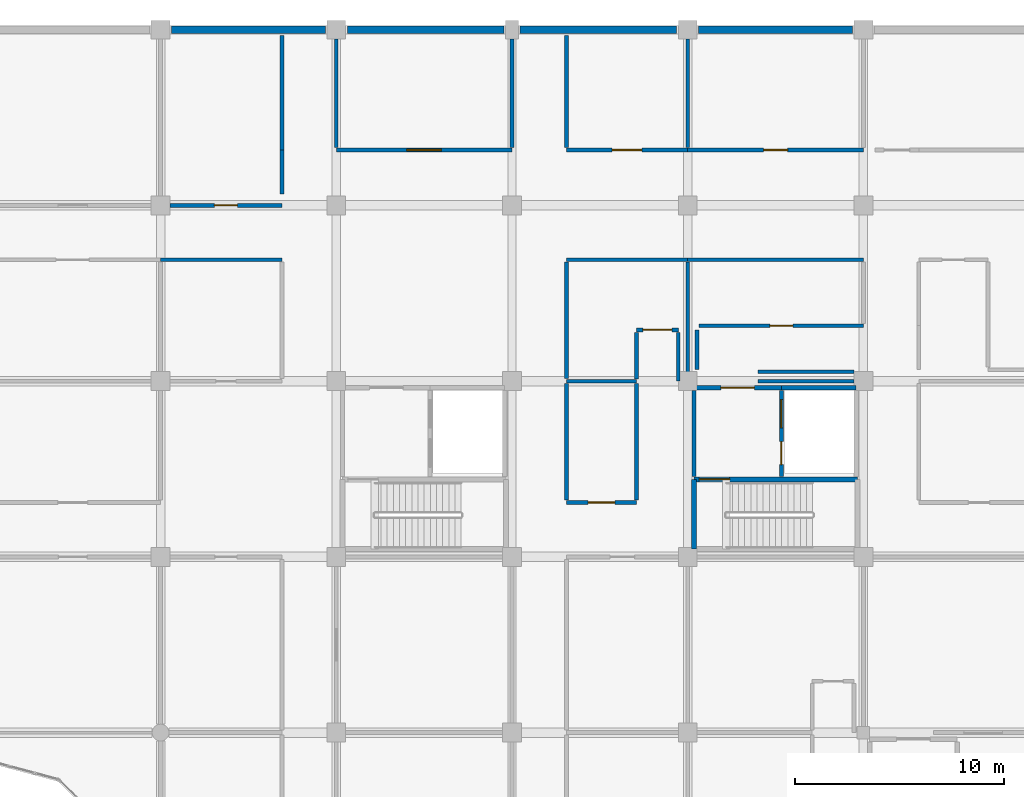
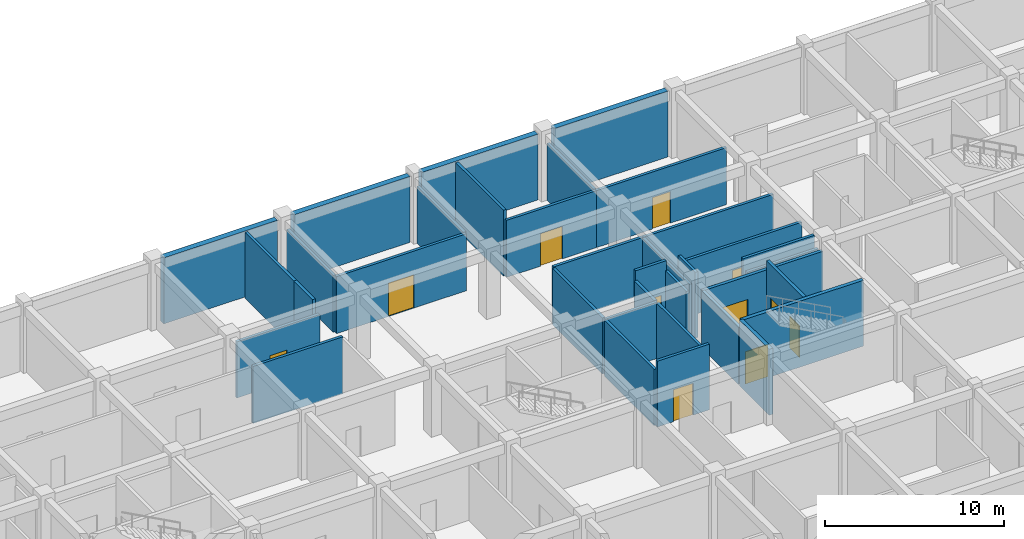
# One storey, part 106 of 138: 36 walls, 11 doors, 11 openings.
"""IFC4 building model written with IfcOpenShell, lengths in metres."""

from ifc_helpers import new_model, si_unit, direction, frame, frame_2d, origin, place, context, subcontext, project, spatial, rectangle, extrude, material, layer, layer_set, type_object, element, fill, save


model = new_model("IFC4")

# Units and contexts
model_context = context("Model", 3, precision=1e-05, world=origin(), true_north=direction((0.0, 1.0)))
body_context = subcontext(model_context, "Body", "Model", "MODEL_VIEW")
ifc_project = project(units=[si_unit("LENGTHUNIT", "METRE"), si_unit("AREAUNIT", "SQUARE_METRE"), si_unit("VOLUMEUNIT", "CUBIC_METRE"), si_unit("PLANEANGLEUNIT", "RADIAN"), si_unit("MASSUNIT", "GRAM", prefix="KILO")], contexts=[model_context])

# Site, building, storey
site_placement = place(None, origin())
site = spatial("IfcSite", under=ifc_project, at=site_placement, CompositionType="ELEMENT")
building_placement = place(site_placement, origin())
building = spatial("IfcBuilding", under=site, at=building_placement, Name="Bramfleet General Hospital", CompositionType="ELEMENT")
storey_placement = place(building_placement, origin())
storey = spatial("IfcBuildingStorey", under=building, at=storey_placement, Name="L00", CompositionType="ELEMENT", Elevation=0.0)

# Walls
ifc_material_1 = material(Name="Concrete C35/45", Category="concrete")
ifc_layer_1 = layer(ifc_material_1, 0.360107421875, Name="WT-EW-02")
ifc_layer_set_1 = layer_set([ifc_layer_1], Name="Concrete C35/45")
wall_type_1 = type_object("IfcWallType", Name="WT-EW-02", PredefinedType="SOLIDWALL", material=ifc_layer_set_1)
wall_1_placement = place(storey_placement, frame((92.925048828125, 117.60009765625, 0.0), z_axis=(0.0, 0.0, 1.0), x_axis=(1.0, 0.0, 0.0)))
element("IfcWall", 1, at=wall_1_placement, inside=storey, type_object=wall_type_1, Name="L00 North REI 90-M Party Wall 116", PredefinedType="SOLIDWALL", context=body_context, shape_type="SweptSolid", body=[
    extrude(rectangle(XDim=7.349853515625, YDim=0.360107421875, at=frame_2d((3.6748046875, 0.0))), origin(), (0.0, 0.0, 1.0), 4.5),
])
for number, where, z_axis, x_axis, name in (
    (2, (101.324951171875, 117.60009765625, 0.0), (0.0, 0.0, 1.0), (1.0, 0.0, 0.0), "L00 North REI 90-M Party Wall 117"),
    (3, (109.574951171875, 117.60009765625, 0.0), (0.0, 0.0, 1.0), (1.0, 0.0, 0.0), "L00 North REI 90-M Party Wall 118"),
):
    element("IfcWall", number, at=place(storey_placement, frame(where, z_axis=z_axis, x_axis=x_axis)), inside=storey, type_object=wall_type_1, Name=name, PredefinedType="SOLIDWALL", context=body_context, shape_type="SweptSolid", body=[
        extrude(rectangle(XDim=7.5, YDim=0.360107421875, at=frame_2d((3.75, 0.0))), origin(), (0.0, 0.0, 1.0), 4.5),
    ])
wall_2_placement = place(storey_placement, frame((118.125, 117.60009765625, 0.0), z_axis=(0.0, 0.0, 1.0), x_axis=(1.0, 0.0, 0.0)))
element("IfcWall", 4, at=wall_2_placement, inside=storey, type_object=wall_type_1, Name="L00 North REI 90-M Party Wall 119", PredefinedType="SOLIDWALL", context=body_context, shape_type="SweptSolid", body=[
    extrude(rectangle(XDim=7.35009765625, YDim=0.360107421875, at=frame_2d((3.675048828125, 0.0))), origin(), (0.0, 0.0, 1.0), 4.5),
])

# Wall, openings, doors
ifc_layer_2 = layer(ifc_material_1, 0.205078125, Name="WT-IW-02")
ifc_layer_set_2 = layer_set([ifc_layer_2], Name="Concrete C35/45")
wall_type_2 = type_object("IfcWallType", Name="WT-IW-02", PredefinedType="PARTITIONING", material=ifc_layer_set_2)
wall_3_placement = place(storey_placement, frame((122.080078125, 96.239990234375, 0.0), z_axis=(0.0, 0.0, 1.0), x_axis=(0.0, 1.0, 0.0)))
wall_3 = element("IfcWall", 5, at=wall_3_placement, inside=storey, type_object=wall_type_2, Name="L00 C6 Lobby East Shaft Wall", PredefinedType="PARTITIONING", context=body_context, shape_type="SweptSolid", body=[
    extrude(rectangle(XDim=4.1201171875, YDim=0.205078125, at=frame_2d((2.06005859375, 0.0))), origin(), (0.0, 0.0, 1.0), 4.489990234375),
])
opening_1_placement = place(wall_3_placement, frame((0.570068359375, 0.0, 0.0)))
opening_1 = element("IfcOpeningElement", 6, at=opening_1_placement, cuts=wall_3, Name="Opening LD-PL-04-L00", PredefinedType="OPENING", context=body_context, shape_type="SweptSolid", body=[
    extrude(rectangle(XDim=1.10009765625, YDim=2.14990234375, at=frame_2d((0.550048828125, 1.074951171875))), frame((0.0, 0.112548828125, 0.0), z_axis=(0.0, -1.0, 0.0), x_axis=(1.0, 0.0, 0.0)), (0.0, 0.0, 1.0), 0.22509765625),
])
opening_2_placement = place(wall_3_placement, frame((2.324951171875, 0.0, 0.0)))
opening_2 = element("IfcOpeningElement", 7, at=opening_2_placement, cuts=wall_3, Name="Opening LD-GL-02-L00", PredefinedType="OPENING", context=body_context, shape_type="SweptSolid", body=[
    extrude(rectangle(XDim=1.35009765625, YDim=2.199951171875, at=frame_2d((0.675048828125, 1.10009765625))), frame((0.0, 0.112548828125, 0.0), z_axis=(0.0, -1.0, 0.0), x_axis=(1.0, 0.0, 0.0)), (0.0, 0.0, 1.0), 0.22509765625),
])
ifc_material_2 = material(Name="Brushed stainless steel 1.4301", Category="steel")
door_type_1 = type_object("IfcDoorType", Name="DR-LD-01", OperationType="NOTDEFINED", PredefinedType="DOOR", material=ifc_material_2)
door_1_placement = place(opening_2_placement, origin())
door_1 = element("IfcDoor", 8, at=door_1_placement, inside=storey, type_object=door_type_1, Name="L00 Lift GL-02 Sliding Landing Door", OperationType="SLIDING_TO_LEFT", OverallHeight=2.199951171875, OverallWidth=1.35009765625, PredefinedType="DOOR", context=body_context, shape_type="SweptSolid", body=[
    extrude(rectangle(XDim=1.35009765625, YDim=2.199951171875, at=frame_2d((0.675048828125, 1.10009765625))), frame((0.0, 0.02490234375, 0.0), z_axis=(0.0, -1.0, 0.0), x_axis=(1.0, 0.0, 0.0)), (0.0, 0.0, 1.0), 0.050048828125),
])
fill(opening_2, door_1)
door_type_2 = type_object("IfcDoorType", Name="DR-LD-02", OperationType="NOTDEFINED", PredefinedType="DOOR", material=ifc_material_2)
door_2_placement = place(opening_1_placement, origin())
door_2 = element("IfcDoor", 9, at=door_2_placement, inside=storey, type_object=door_type_2, Name="L00 Lift PL-04 Sliding Landing Door", OperationType="SLIDING_TO_LEFT", OverallHeight=2.14990234375, OverallWidth=1.10009765625, PredefinedType="DOOR", context=body_context, shape_type="SweptSolid", body=[
    extrude(rectangle(XDim=1.10009765625, YDim=2.14990234375, at=frame_2d((0.550048828125, 1.074951171875))), frame((0.0, 0.02490234375, 0.0), z_axis=(0.0, -1.0, 0.0), x_axis=(1.0, 0.0, 0.0)), (0.0, 0.0, 1.0), 0.050048828125),
])
fill(opening_1, door_2)

# Walls
wall_4_placement = place(storey_placement, frame((122.080078125, 100.47998046875, 0.0), z_axis=(0.0, 0.0, 1.0), x_axis=(1.0, 0.0, 0.0)))
element("IfcWall", 10, at=wall_4_placement, inside=storey, type_object=wall_type_2, Name="L00 C6 Lift Shaft North Wall", PredefinedType="PARTITIONING", context=body_context, shape_type="SweptSolid", body=[
    extrude(rectangle(XDim=3.56982421875, YDim=0.205078125, at=frame_2d((1.784912109375, 0.0))), origin(), (0.0, 0.0, 1.0), 3.840087890625),
])
wall_5_placement = place(storey_placement, frame((117.89990234375, 96.239990234375, 0.0), z_axis=(0.0, 0.0, 1.0), x_axis=(0.0, 1.0, 0.0)))
element("IfcWall", 11, at=wall_5_placement, inside=storey, type_object=wall_type_2, Name="L00 C6 Lobby West Compartment Wall", PredefinedType="PARTITIONING", context=body_context, shape_type="SweptSolid", body=[
    extrude(rectangle(XDim=4.1201171875, YDim=0.205078125, at=frame_2d((2.06005859375, 0.0))), origin(), (0.0, 0.0, 1.0), 3.889892578125),
])

# Wall, opening, door
wall_6_placement = place(storey_placement, frame((117.89990234375, 100.47998046875, 0.0), z_axis=(0.0, 0.0, 1.0), x_axis=(1.0, 0.0, 0.0)))
wall_6 = element("IfcWall", 12, at=wall_6_placement, inside=storey, type_object=wall_type_2, Name="L00 C6 Lobby North Compartment Wall", PredefinedType="PARTITIONING", context=body_context, shape_type="SweptSolid", body=[
    extrude(rectangle(XDim=4.18017578125, YDim=0.205078125, at=frame_2d((2.090087890625, 0.0))), origin(), (0.0, 0.0, 1.0), 3.840087890625),
])
opening_3_placement = place(wall_6_placement, frame((1.2900390625, 0.0, 0.0)))
opening_3 = element("IfcOpeningElement", 13, at=opening_3_placement, cuts=wall_6, Name="Opening D0076", PredefinedType="OPENING", context=body_context, shape_type="SweptSolid", body=[
    extrude(rectangle(XDim=1.60009765625, YDim=2.25, at=frame_2d((0.800048828125, 1.125))), frame((0.0, 0.112548828125, 0.0), z_axis=(0.0, -1.0, 0.0), x_axis=(1.0, 0.0, 0.0)), (0.0, 0.0, 1.0), 0.22509765625),
])
ifc_material_3 = material(Name="Stainless steel and acoustic timber leaf", Category="steel")
door_type_3 = type_object("IfcDoorType", Name="DR-D-04", OperationType="NOTDEFINED", PredefinedType="DOOR", material=ifc_material_3)
door_3_placement = place(opening_3_placement, origin())
door_3 = element("IfcDoor", 14, at=door_3_placement, inside=storey, type_object=door_type_3, Name="L00 C6 Lobby Fire Door D0076", OperationType="DOUBLE_SWING_LEFT", OverallHeight=2.25, OverallWidth=1.60009765625, PredefinedType="DOOR", context=body_context, shape_type="SweptSolid", body=[
    extrude(rectangle(XDim=1.60009765625, YDim=2.25, at=frame_2d((0.800048828125, 1.125))), frame((0.0, 0.02490234375, 0.0), z_axis=(0.0, -1.0, 0.0), x_axis=(1.0, 0.0, 0.0)), (0.0, 0.0, 1.0), 0.050048828125),
])
fill(opening_3, door_3)

ifc_layer_3 = layer(ifc_material_1, 0.179931640625, Name="WT-IW-04")
ifc_layer_set_3 = layer_set([ifc_layer_3], Name="Concrete C35/45")
wall_type_3 = type_object("IfcWallType", Name="WT-IW-04", PredefinedType="PARTITIONING", material=ifc_layer_set_3)
wall_7_placement = place(storey_placement, frame((111.800048828125, 95.0, 0.0), z_axis=(0.0, 0.0, 1.0), x_axis=(1.0, 0.0, 0.0)))
wall_7 = element("IfcWall", 15, at=wall_7_placement, inside=storey, type_object=wall_type_3, Name="L00 Interior Partition IW-L00-0830", PredefinedType="PARTITIONING", context=body_context, shape_type="SweptSolid", body=[
    extrude(rectangle(XDim=3.349853515625, YDim=0.179931640625, at=frame_2d((1.6748046875, 0.0))), origin(), (0.0, 0.0, 1.0), 4.489990234375),
])
opening_4_placement = place(wall_7_placement, frame((1.034912109375, 0.0, 0.0)))
opening_4 = element("IfcOpeningElement", 16, at=opening_4_placement, cuts=wall_7, Name="Opening D0541", PredefinedType="OPENING", context=body_context, shape_type="SweptSolid", body=[
    extrude(rectangle(XDim=1.280029296875, YDim=2.179931640625, at=frame_2d((0.64013671875, 1.08984375))), frame((0.0, 0.099853515625, 0.0), z_axis=(0.0, -1.0, 0.0), x_axis=(1.0, 0.0, 0.0)), (0.0, 0.0, 1.0), 0.199951171875),
])
door_type_4 = type_object("IfcDoorType", Name="DR-D-29", OperationType="NOTDEFINED", PredefinedType="DOOR", material=ifc_material_3)
door_4_placement = place(opening_4_placement, origin())
door_4 = element("IfcDoor", 17, at=door_4_placement, inside=storey, type_object=door_type_4, Name="Diagnostic Ultrasound and Fluoroscopy 1311 Door D0541", OperationType="SINGLE_SWING_RIGHT", OverallHeight=2.179931640625, OverallWidth=1.280029296875, PredefinedType="DOOR", context=body_context, shape_type="SweptSolid", body=[
    extrude(rectangle(XDim=1.280029296875, YDim=2.179931640625, at=frame_2d((0.64013671875, 1.08984375))), frame((0.0, 0.02490234375, 0.0), z_axis=(0.0, -1.0, 0.0), x_axis=(1.0, 0.0, 0.0)), (0.0, 0.0, 1.0), 0.050048828125),
])
fill(opening_4, door_4)

# Walls
wall_8_placement = place(storey_placement, frame((111.800048828125, 100.800048828125, 0.0), z_axis=(0.0, 0.0, 1.0), x_axis=(1.0, 0.0, 0.0)))
element("IfcWall", 18, at=wall_8_placement, inside=storey, type_object=wall_type_3, Name="L00 Interior Partition IW-L00-0851", PredefinedType="PARTITIONING", context=body_context, shape_type="SweptSolid", body=[
    extrude(rectangle(XDim=3.349853515625, YDim=0.179931640625, at=frame_2d((1.6748046875, 0.0))), origin(), (0.0, 0.0, 1.0), 3.840087890625),
])
wall_9_placement = place(storey_placement, frame((120.949951171875, 100.800048828125, 0.0), z_axis=(0.0, 0.0, 1.0), x_axis=(1.0, 0.0, 0.0)))
element("IfcWall", 19, at=wall_9_placement, inside=storey, type_object=wall_type_3, Name="L00 Interior Partition IW-L00-0852", PredefinedType="PARTITIONING", context=body_context, shape_type="SweptSolid", body=[
    extrude(rectangle(XDim=4.60498046875, YDim=0.179931640625, at=frame_2d((2.302490234375, 0.0))), origin(), (0.0, 0.0, 1.0), 3.840087890625),
])
wall_10_placement = place(storey_placement, frame((120.949951171875, 101.25, 0.0), z_axis=(0.0, 0.0, 1.0), x_axis=(1.0, 0.0, 0.0)))
element("IfcWall", 20, at=wall_10_placement, inside=storey, type_object=wall_type_3, Name="L00 Interior Partition IW-L00-0860", PredefinedType="PARTITIONING", context=body_context, shape_type="SweptSolid", body=[
    extrude(rectangle(XDim=4.60009765625, YDim=0.179931640625, at=frame_2d((2.300048828125, 0.0))), origin(), (0.0, 0.0, 1.0), 4.489990234375),
])

# Wall, opening, door
wall_11_placement = place(storey_placement, frame((115.14990234375, 103.25, 0.0), z_axis=(0.0, 0.0, 1.0), x_axis=(1.0, 0.0, 0.0)))
wall_11 = element("IfcWall", 21, at=wall_11_placement, inside=storey, type_object=wall_type_3, Name="L00 Interior Partition IW-L00-0865", PredefinedType="PARTITIONING", context=body_context, shape_type="SweptSolid", body=[
    extrude(rectangle(XDim=2.0, YDim=0.179931640625, at=frame_2d((1.0, 0.0))), origin(), (0.0, 0.0, 1.0), 4.489990234375),
])
opening_5_placement = place(wall_11_placement, frame((0.31005859375, 0.0, 0.0)))
opening_5 = element("IfcOpeningElement", 22, at=opening_5_placement, cuts=wall_11, Name="Opening D0542", PredefinedType="OPENING", context=body_context, shape_type="SweptSolid", body=[
    extrude(rectangle(XDim=1.3798828125, YDim=2.219970703125, at=frame_2d((0.68994140625, 1.10986328125))), frame((0.0, 0.099853515625, 0.0), z_axis=(0.0, -1.0, 0.0), x_axis=(1.0, 0.0, 0.0)), (0.0, 0.0, 1.0), 0.199951171875),
])
door_type_5 = type_object("IfcDoorType", Name="DR-D-30", OperationType="NOTDEFINED", PredefinedType="DOOR", material=ifc_material_3)
door_5_placement = place(opening_5_placement, origin())
door_5 = element("IfcDoor", 23, at=door_5_placement, inside=storey, type_object=door_type_5, Name="Diagnostic Ultrasound and Fluoroscopy 1312 Door D0542", OperationType="SINGLE_SWING_LEFT", OverallHeight=2.219970703125, OverallWidth=1.3798828125, PredefinedType="DOOR", context=body_context, shape_type="SweptSolid", body=[
    extrude(rectangle(XDim=1.3798828125, YDim=2.219970703125, at=frame_2d((0.68994140625, 1.10986328125))), frame((0.0, 0.02490234375, 0.0), z_axis=(0.0, -1.0, 0.0), x_axis=(1.0, 0.0, 0.0)), (0.0, 0.0, 1.0), 0.050048828125),
])
fill(opening_5, door_5)

wall_12_placement = place(storey_placement, frame((118.14990234375, 103.449951171875, 0.0), z_axis=(0.0, 0.0, 1.0), x_axis=(1.0, 0.0, 0.0)))
wall_12 = element("IfcWall", 24, at=wall_12_placement, inside=storey, type_object=wall_type_3, Name="L00 Interior Partition IW-L00-0866", PredefinedType="PARTITIONING", context=body_context, shape_type="SweptSolid", body=[
    extrude(rectangle(XDim=7.85009765625, YDim=0.179931640625, at=frame_2d((3.925048828125, 0.0))), origin(), (0.0, 0.0, 1.0), 3.889892578125),
])
opening_6_placement = place(wall_12_placement, frame((3.375, 0.0, 0.0)))
opening_6 = element("IfcOpeningElement", 25, at=opening_6_placement, cuts=wall_12, Name="Opening D0555", PredefinedType="OPENING", context=body_context, shape_type="SweptSolid", body=[
    extrude(rectangle(XDim=1.10009765625, YDim=2.14990234375, at=frame_2d((0.550048828125, 1.074951171875))), frame((0.0, 0.099853515625, 0.0), z_axis=(0.0, -1.0, 0.0), x_axis=(1.0, 0.0, 0.0)), (0.0, 0.0, 1.0), 0.199951171875),
])
door_type_6 = type_object("IfcDoorType", Name="DR-D-11", OperationType="NOTDEFINED", PredefinedType="DOOR", material=ifc_material_3)
door_6_placement = place(opening_6_placement, origin())
door_6 = element("IfcDoor", 26, at=door_6_placement, inside=storey, type_object=door_type_6, Name="Diagnostic Ultrasound and Fluoroscopy 1412 Door D0555", OperationType="SINGLE_SWING_RIGHT", OverallHeight=2.14990234375, OverallWidth=1.10009765625, PredefinedType="DOOR", context=body_context, shape_type="SweptSolid", body=[
    extrude(rectangle(XDim=1.10009765625, YDim=2.14990234375, at=frame_2d((0.550048828125, 1.074951171875))), frame((0.0, 0.02490234375, 0.0), z_axis=(0.0, -1.0, 0.0), x_axis=(1.0, 0.0, 0.0)), (0.0, 0.0, 1.0), 0.050048828125),
])
fill(opening_6, door_6)

# Walls
for number, where, z_axis, x_axis, name in (
    (27, (92.39990234375, 106.60009765625, 0.0), (0.0, 0.0, 1.0), (1.0, 0.0, 0.0), "L00 Interior Partition IW-L00-0876"),
    (28, (111.800048828125, 106.60009765625, 0.0), (0.0, 0.0, 1.0), (1.0, 0.0, 0.0), "L00 Interior Partition IW-L00-0877"),
):
    element("IfcWall", number, at=place(storey_placement, frame(where, z_axis=z_axis, x_axis=x_axis)), inside=storey, type_object=wall_type_3, Name=name, PredefinedType="PARTITIONING", context=body_context, shape_type="SweptSolid", body=[
        extrude(rectangle(XDim=5.800048828125, YDim=0.179931640625, at=frame_2d((2.89990234375, 0.0))), origin(), (0.0, 0.0, 1.0), 3.889892578125),
    ])
wall_13_placement = place(storey_placement, frame((117.60009765625, 106.60009765625, 0.0), z_axis=(0.0, 0.0, 1.0), x_axis=(1.0, 0.0, 0.0)))
element("IfcWall", 29, at=wall_13_placement, inside=storey, type_object=wall_type_3, Name="L00 Interior Partition IW-L00-0878", PredefinedType="PARTITIONING", context=body_context, shape_type="SweptSolid", body=[
    extrude(rectangle(XDim=8.39990234375, YDim=0.179931640625, at=frame_2d((4.199951171875, 0.0))), origin(), (0.0, 0.0, 1.0), 3.889892578125),
])

# Wall, opening, door
wall_14_placement = place(storey_placement, frame((92.844970703125, 109.199951171875, 0.0), z_axis=(0.0, 0.0, 1.0), x_axis=(1.0, 0.0, 0.0)))
wall_14 = element("IfcWall", 30, at=wall_14_placement, inside=storey, type_object=wall_type_3, Name="L00 Interior Partition IW-L00-0896", PredefinedType="PARTITIONING", context=body_context, shape_type="SweptSolid", body=[
    extrude(rectangle(XDim=5.35498046875, YDim=0.179931640625, at=frame_2d((2.677490234375, 0.0))), origin(), (0.0, 0.0, 1.0), 3.840087890625),
])
opening_7_placement = place(wall_14_placement, frame((2.12744140625, 0.0, 0.0)))
opening_7 = element("IfcOpeningElement", 31, at=opening_7_placement, cuts=wall_14, Name="Opening D0523", PredefinedType="OPENING", context=body_context, shape_type="SweptSolid", body=[
    extrude(rectangle(XDim=1.10009765625, YDim=2.14990234375, at=frame_2d((0.550048828125, 1.074951171875))), frame((0.0, 0.099853515625, 0.0), z_axis=(0.0, -1.0, 0.0), x_axis=(1.0, 0.0, 0.0)), (0.0, 0.0, 1.0), 0.199951171875),
])
door_7_placement = place(opening_7_placement, origin())
door_7 = element("IfcDoor", 32, at=door_7_placement, inside=storey, type_object=door_type_6, Name="Diagnostic Ultrasound and Fluoroscopy 1113 Door D0523", OperationType="SINGLE_SWING_RIGHT", OverallHeight=2.14990234375, OverallWidth=1.10009765625, PredefinedType="DOOR", context=body_context, shape_type="SweptSolid", body=[
    extrude(rectangle(XDim=1.10009765625, YDim=2.14990234375, at=frame_2d((0.550048828125, 1.074951171875))), frame((0.0, 0.02490234375, 0.0), z_axis=(0.0, -1.0, 0.0), x_axis=(1.0, 0.0, 0.0)), (0.0, 0.0, 1.0), 0.050048828125),
])
fill(opening_7, door_7)

wall_15_placement = place(storey_placement, frame((100.800048828125, 111.85009765625, 0.0), z_axis=(0.0, 0.0, 1.0), x_axis=(1.0, 0.0, 0.0)))
wall_15 = element("IfcWall", 33, at=wall_15_placement, inside=storey, type_object=wall_type_3, Name="L00 Interior Partition IW-L00-0905", PredefinedType="PARTITIONING", context=body_context, shape_type="SweptSolid", body=[
    extrude(rectangle(XDim=8.39990234375, YDim=0.179931640625, at=frame_2d((4.199951171875, 0.0))), origin(), (0.0, 0.0, 1.0), 3.889892578125),
])
opening_8_placement = place(wall_15_placement, frame((3.3798828125, 0.0, 0.0)))
opening_8 = element("IfcOpeningElement", 34, at=opening_8_placement, cuts=wall_15, Name="Opening D0530", PredefinedType="OPENING", context=body_context, shape_type="SweptSolid", body=[
    extrude(rectangle(XDim=1.639892578125, YDim=2.280029296875, at=frame_2d((0.81982421875, 1.14013671875))), frame((0.0, 0.099853515625, 0.0), z_axis=(0.0, -1.0, 0.0), x_axis=(1.0, 0.0, 0.0)), (0.0, 0.0, 1.0), 0.199951171875),
])
door_type_7 = type_object("IfcDoorType", Name="DR-D-18", OperationType="NOTDEFINED", PredefinedType="DOOR", material=ifc_material_3)
door_8_placement = place(opening_8_placement, origin())
door_8 = element("IfcDoor", 35, at=door_8_placement, inside=storey, type_object=door_type_7, Name="Diagnostic Ultrasound and Fluoroscopy 1213 Door D0530", OperationType="DOUBLE_SWING_LEFT", OverallHeight=2.280029296875, OverallWidth=1.639892578125, PredefinedType="DOOR", context=body_context, shape_type="SweptSolid", body=[
    extrude(rectangle(XDim=1.639892578125, YDim=2.280029296875, at=frame_2d((0.81982421875, 1.14013671875))), frame((0.0, 0.02490234375, 0.0), z_axis=(0.0, -1.0, 0.0), x_axis=(1.0, 0.0, 0.0)), (0.0, 0.0, 1.0), 0.050048828125),
])
fill(opening_8, door_8)

wall_16_placement = place(storey_placement, frame((111.800048828125, 111.85009765625, 0.0), z_axis=(0.0, 0.0, 1.0), x_axis=(1.0, 0.0, 0.0)))
wall_16 = element("IfcWall", 36, at=wall_16_placement, inside=storey, type_object=wall_type_3, Name="L00 Interior Partition IW-L00-0906", PredefinedType="PARTITIONING", context=body_context, shape_type="SweptSolid", body=[
    extrude(rectangle(XDim=5.800048828125, YDim=0.179931640625, at=frame_2d((2.89990234375, 0.0))), origin(), (0.0, 0.0, 1.0), 3.889892578125),
])
opening_9_placement = place(wall_16_placement, frame((2.18994140625, 0.0, 0.0)))
opening_9 = element("IfcOpeningElement", 37, at=opening_9_placement, cuts=wall_16, Name="Opening D0543", PredefinedType="OPENING", context=body_context, shape_type="SweptSolid", body=[
    extrude(rectangle(XDim=1.419921875, YDim=2.219970703125, at=frame_2d((0.7099609375, 1.10986328125))), frame((0.0, 0.099853515625, 0.0), z_axis=(0.0, -1.0, 0.0), x_axis=(1.0, 0.0, 0.0)), (0.0, 0.0, 1.0), 0.199951171875),
])
door_type_8 = type_object("IfcDoorType", Name="DR-D-31", OperationType="NOTDEFINED", PredefinedType="DOOR", material=ifc_material_3)
door_9_placement = place(opening_9_placement, origin())
door_9 = element("IfcDoor", 38, at=door_9_placement, inside=storey, type_object=door_type_8, Name="Diagnostic Ultrasound and Fluoroscopy 1313 Door D0543", OperationType="SINGLE_SWING_RIGHT", OverallHeight=2.219970703125, OverallWidth=1.419921875, PredefinedType="DOOR", context=body_context, shape_type="SweptSolid", body=[
    extrude(rectangle(XDim=1.419921875, YDim=2.219970703125, at=frame_2d((0.7099609375, 1.10986328125))), frame((0.0, 0.02490234375, 0.0), z_axis=(0.0, -1.0, 0.0), x_axis=(1.0, 0.0, 0.0)), (0.0, 0.0, 1.0), 0.050048828125),
])
fill(opening_9, door_9)

wall_17_placement = place(storey_placement, frame((117.60009765625, 111.85009765625, 0.0), z_axis=(0.0, 0.0, 1.0), x_axis=(1.0, 0.0, 0.0)))
wall_17 = element("IfcWall", 39, at=wall_17_placement, inside=storey, type_object=wall_type_3, Name="L00 Interior Partition IW-L00-0907", PredefinedType="PARTITIONING", context=body_context, shape_type="SweptSolid", body=[
    extrude(rectangle(XDim=8.39990234375, YDim=0.179931640625, at=frame_2d((4.199951171875, 0.0))), origin(), (0.0, 0.0, 1.0), 3.889892578125),
])
opening_10_placement = place(wall_17_placement, frame((3.625, 0.0, 0.0)))
opening_10 = element("IfcOpeningElement", 40, at=opening_10_placement, cuts=wall_17, Name="Opening D0556", PredefinedType="OPENING", context=body_context, shape_type="SweptSolid", body=[
    extrude(rectangle(XDim=1.14990234375, YDim=2.14990234375, at=frame_2d((0.574951171875, 1.074951171875))), frame((0.0, 0.099853515625, 0.0), z_axis=(0.0, -1.0, 0.0), x_axis=(1.0, 0.0, 0.0)), (0.0, 0.0, 1.0), 0.199951171875),
])
door_type_9 = type_object("IfcDoorType", Name="DR-D-12", OperationType="NOTDEFINED", PredefinedType="DOOR", material=ifc_material_3)
door_10_placement = place(opening_10_placement, origin())
door_10 = element("IfcDoor", 41, at=door_10_placement, inside=storey, type_object=door_type_9, Name="Diagnostic Ultrasound and Fluoroscopy 1413 Door D0556", OperationType="SINGLE_SWING_LEFT", OverallHeight=2.14990234375, OverallWidth=1.14990234375, PredefinedType="DOOR", context=body_context, shape_type="SweptSolid", body=[
    extrude(rectangle(XDim=1.14990234375, YDim=2.14990234375, at=frame_2d((0.574951171875, 1.074951171875))), frame((0.0, 0.02490234375, 0.0), z_axis=(0.0, -1.0, 0.0), x_axis=(1.0, 0.0, 0.0)), (0.0, 0.0, 1.0), 0.050048828125),
])
fill(opening_10, door_10)

# Walls
wall_18_placement = place(storey_placement, frame((98.199951171875, 109.75, 0.0), z_axis=(0.0, 0.0, 1.0), x_axis=(0.0, 1.0, 0.0)))
element("IfcWall", 42, at=wall_18_placement, inside=storey, type_object=wall_type_3, Name="L00 Interior Partition IW-L00-1083", PredefinedType="PARTITIONING", context=body_context, shape_type="SweptSolid", body=[
    extrude(rectangle(XDim=2.10009765625, YDim=0.179931640625, at=frame_2d((1.050048828125, 0.0))), origin(), (0.0, 0.0, 1.0), 4.489990234375),
])
wall_19_placement = place(storey_placement, frame((98.199951171875, 111.85009765625, 0.0), z_axis=(0.0, 0.0, 1.0), x_axis=(0.0, 1.0, 0.0)))
element("IfcWall", 43, at=wall_19_placement, inside=storey, type_object=wall_type_3, Name="L00 Interior Partition IW-L00-1084", PredefinedType="PARTITIONING", context=body_context, shape_type="SweptSolid", body=[
    extrude(rectangle(XDim=5.469970703125, YDim=0.179931640625, at=frame_2d((2.73486328125, 0.0))), origin(), (0.0, 0.0, 1.0), 4.489990234375),
])
for number, where, z_axis, x_axis, name in (
    (44, (100.800048828125, 111.965087890625, 0.0), (0.0, 0.0, 1.0), (0.0, 1.0, 0.0), "L00 Interior Partition IW-L00-1091"),
    (45, (109.199951171875, 111.965087890625, 0.0), (0.0, 0.0, 1.0), (0.0, 1.0, 0.0), "L00 Interior Partition IW-L00-1098"),
):
    element("IfcWall", number, at=place(storey_placement, frame(where, z_axis=z_axis, x_axis=x_axis)), inside=storey, type_object=wall_type_3, Name=name, PredefinedType="PARTITIONING", context=body_context, shape_type="SweptSolid", body=[
        extrude(rectangle(XDim=5.18994140625, YDim=0.179931640625, at=frame_2d((2.594970703125, 0.0))), origin(), (0.0, 0.0, 1.0), 3.889892578125),
    ])
for number, where, z_axis, x_axis, name in (
    (46, (111.800048828125, 95.114990234375, 0.0), (0.0, 0.0, 1.0), (0.0, 1.0, 0.0), "L00 Interior Partition IW-L00-1109"),
    (47, (111.800048828125, 100.9150390625, 0.0), (0.0, 0.0, 1.0), (0.0, 1.0, 0.0), "L00 Interior Partition IW-L00-1110"),
):
    element("IfcWall", number, at=place(storey_placement, frame(where, z_axis=z_axis, x_axis=x_axis)), inside=storey, type_object=wall_type_3, Name=name, PredefinedType="PARTITIONING", context=body_context, shape_type="SweptSolid", body=[
        extrude(rectangle(XDim=5.570068359375, YDim=0.179931640625, at=frame_2d((2.78515625, 0.0))), origin(), (0.0, 0.0, 1.0), 3.840087890625),
    ])
wall_20_placement = place(storey_placement, frame((111.800048828125, 111.965087890625, 0.0), z_axis=(0.0, 0.0, 1.0), x_axis=(0.0, 1.0, 0.0)))
element("IfcWall", 48, at=wall_20_placement, inside=storey, type_object=wall_type_3, Name="L00 Interior Partition IW-L00-1111", PredefinedType="PARTITIONING", context=body_context, shape_type="SweptSolid", body=[
    extrude(rectangle(XDim=5.35498046875, YDim=0.179931640625, at=frame_2d((2.677490234375, 0.0))), origin(), (0.0, 0.0, 1.0), 4.489990234375),
])
wall_21_placement = place(storey_placement, frame((115.14990234375, 95.114990234375, 0.0), z_axis=(0.0, 0.0, 1.0), x_axis=(0.0, 1.0, 0.0)))
element("IfcWall", 49, at=wall_21_placement, inside=storey, type_object=wall_type_3, Name="L00 Interior Partition IW-L00-1112", PredefinedType="PARTITIONING", context=body_context, shape_type="SweptSolid", body=[
    extrude(rectangle(XDim=5.570068359375, YDim=0.179931640625, at=frame_2d((2.78515625, 0.0))), origin(), (0.0, 0.0, 1.0), 3.840087890625),
])
wall_22_placement = place(storey_placement, frame((115.14990234375, 100.9150390625, 0.0), z_axis=(0.0, 0.0, 1.0), x_axis=(0.0, 1.0, 0.0)))
element("IfcWall", 50, at=wall_22_placement, inside=storey, type_object=wall_type_3, Name="L00 Interior Partition IW-L00-1113", PredefinedType="PARTITIONING", context=body_context, shape_type="SweptSolid", body=[
    extrude(rectangle(XDim=2.219970703125, YDim=0.179931640625, at=frame_2d((1.10986328125, 0.0))), origin(), (0.0, 0.0, 1.0), 3.840087890625),
])
wall_23_placement = place(storey_placement, frame((117.14990234375, 100.800048828125, 0.0), z_axis=(0.0, 0.0, 1.0), x_axis=(0.0, 1.0, 0.0)))
element("IfcWall", 51, at=wall_23_placement, inside=storey, type_object=wall_type_3, Name="L00 Interior Partition IW-L00-1114", PredefinedType="PARTITIONING", context=body_context, shape_type="SweptSolid", body=[
    extrude(rectangle(XDim=2.3349609375, YDim=0.179931640625, at=frame_2d((1.16748046875, 0.0))), origin(), (0.0, 0.0, 1.0), 3.840087890625),
])
wall_24_placement = place(storey_placement, frame((117.60009765625, 101.2451171875, 0.0), z_axis=(0.0, 0.0, 1.0), x_axis=(0.0, 1.0, 0.0)))
element("IfcWall", 52, at=wall_24_placement, inside=storey, type_object=wall_type_3, Name="L00 Interior Partition IW-L00-1125", PredefinedType="PARTITIONING", context=body_context, shape_type="SweptSolid", body=[
    extrude(rectangle(XDim=5.239990234375, YDim=0.179931640625, at=frame_2d((2.6201171875, 0.0))), origin(), (0.0, 0.0, 1.0), 3.889892578125),
])
wall_25_placement = place(storey_placement, frame((117.60009765625, 111.965087890625, 0.0), z_axis=(0.0, 0.0, 1.0), x_axis=(0.0, 1.0, 0.0)))
element("IfcWall", 53, at=wall_25_placement, inside=storey, type_object=wall_type_3, Name="L00 Interior Partition IW-L00-1126", PredefinedType="PARTITIONING", context=body_context, shape_type="SweptSolid", body=[
    extrude(rectangle(XDim=5.18994140625, YDim=0.179931640625, at=frame_2d((2.594970703125, 0.0))), origin(), (0.0, 0.0, 1.0), 3.889892578125),
])
wall_26_placement = place(storey_placement, frame((118.050048828125, 101.364990234375, 0.0), z_axis=(0.0, 0.0, 1.0), x_axis=(0.0, 1.0, 0.0)))
element("IfcWall", 54, at=wall_26_placement, inside=storey, type_object=wall_type_3, Name="L00 Interior Partition IW-L00-1127", PredefinedType="PARTITIONING", context=body_context, shape_type="SweptSolid", body=[
    extrude(rectangle(XDim=1.885009765625, YDim=0.179931640625, at=frame_2d((0.9423828125, 0.0))), origin(), (0.0, 0.0, 1.0), 4.489990234375),
])
ifc_material_4 = material(Name="Concrete C40/50", Category="concrete")
ifc_layer_4 = layer(ifc_material_4, 0.239990234375, Name="WT-SW-240")
ifc_layer_set_4 = layer_set([ifc_layer_4], Name="Concrete C40/50")
wall_type_4 = type_object("IfcWallType", Name="WT-SW-240", PredefinedType="SHEAR", material=ifc_layer_set_4)
wall_27_placement = place(storey_placement, frame((117.89990234375, 92.780029296875, 0.0), z_axis=(0.0, 0.0, 1.0), x_axis=(0.0, 1.0, 0.0)))
element("IfcWall", 55, at=wall_27_placement, inside=storey, type_object=wall_type_4, Name="L00 C6 West Stair Shear Wall", PredefinedType="SHEAR", context=body_context, shape_type="SweptSolid", body=[
    extrude(rectangle(XDim=3.320068359375, YDim=0.239990234375, at=frame_2d((1.66015625, 0.0))), origin(), (0.0, 0.0, 1.0), 4.5),
])

# Wall, opening, door
wall_28_placement = place(storey_placement, frame((117.89990234375, 96.10009765625, 0.0), z_axis=(0.0, 0.0, 1.0), x_axis=(1.0, 0.0, 0.0)))
wall_28 = element("IfcWall", 56, at=wall_28_placement, inside=storey, type_object=wall_type_4, Name="L00 C6 Stair-Lobby Shear Wall", PredefinedType="SHEAR", context=body_context, shape_type="SweptSolid", body=[
    extrude(rectangle(XDim=7.820068359375, YDim=0.239990234375, at=frame_2d((3.91015625, 0.0))), origin(), (0.0, 0.0, 1.0), 4.5),
])
opening_11_placement = place(wall_28_placement, frame((0.25, 0.0, 0.0)))
opening_11 = element("IfcOpeningElement", 57, at=opening_11_placement, cuts=wall_28, Name="Opening D0075", PredefinedType="OPENING", context=body_context, shape_type="SweptSolid", body=[
    extrude(rectangle(XDim=1.449951171875, YDim=2.199951171875, at=frame_2d((0.72509765625, 1.10009765625))), frame((0.0, 0.1298828125, 0.0), z_axis=(0.0, -1.0, 0.0), x_axis=(1.0, 0.0, 0.0)), (0.0, 0.0, 1.0), 0.260009765625),
])
door_type_10 = type_object("IfcDoorType", Name="DR-D-03", OperationType="NOTDEFINED", PredefinedType="DOOR", material=ifc_material_3)
door_11_placement = place(opening_11_placement, origin())
door_11 = element("IfcDoor", 58, at=door_11_placement, inside=storey, type_object=door_type_10, Name="L00 C6 Escape Stair Fire Door D0075", OperationType="SINGLE_SWING_RIGHT", OverallHeight=2.199951171875, OverallWidth=1.449951171875, PredefinedType="DOOR", context=body_context, shape_type="SweptSolid", body=[
    extrude(rectangle(XDim=1.449951171875, YDim=2.199951171875, at=frame_2d((0.72509765625, 1.10009765625))), frame((0.0, 0.02490234375, 0.0), z_axis=(0.0, -1.0, 0.0), x_axis=(1.0, 0.0, 0.0)), (0.0, 0.0, 1.0), 0.050048828125),
])
fill(opening_11, door_11)

save(model, "model.ifc")
